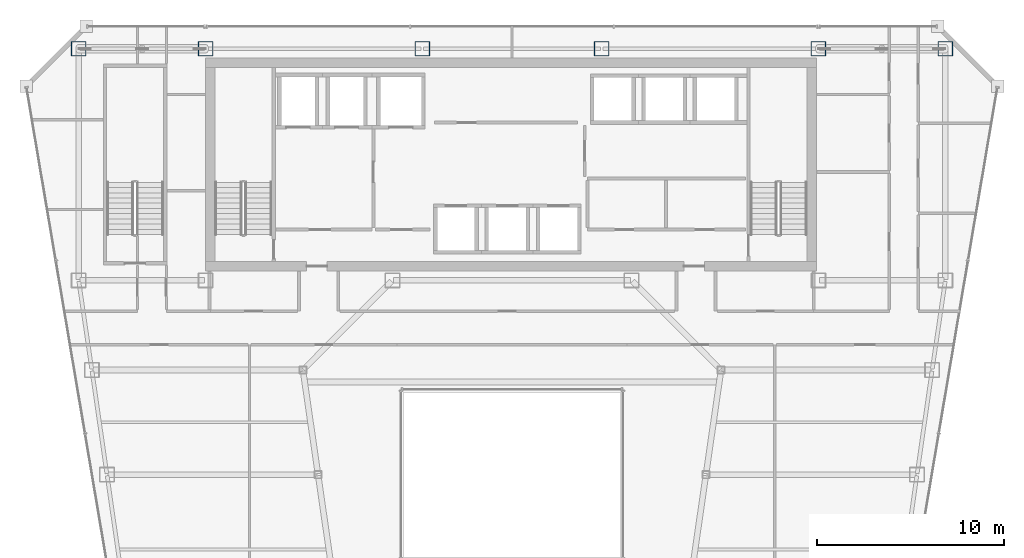
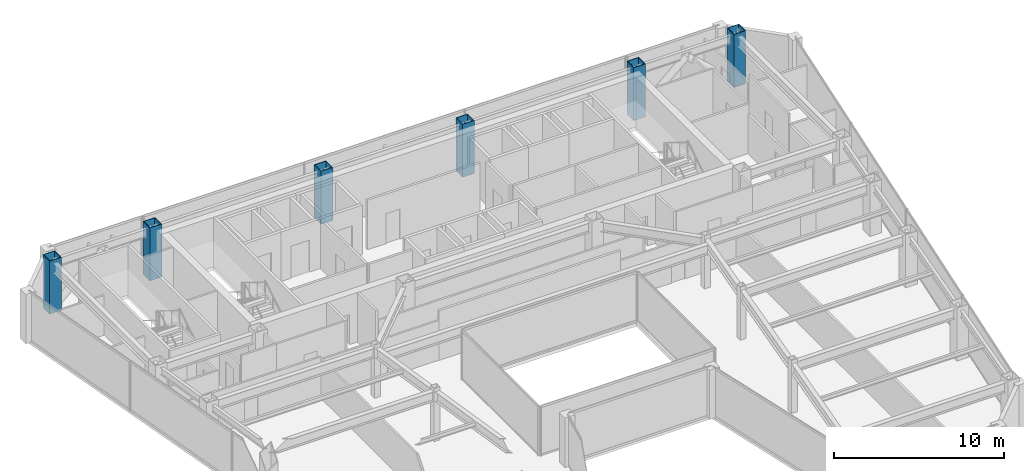
# One storey, part 2 of 35: 6 columns.
"""IFC4 building model written with IfcOpenShell, lengths in metres."""

from ifc_helpers import new_model, si_unit, direction, frame, origin, origin_2d, place, context, subcontext, project, spatial, hollow_rectangle, extrude, material, material_profile, profile_set, type_object, element, save


model = new_model("IFC4")

# Units and contexts
model_context = context("Model", 3, precision=1e-05, world=origin(), true_north=direction((0.0, 1.0)))
body_context = subcontext(model_context, "Body", "Model", "MODEL_VIEW")
ifc_project = project(units=[si_unit("LENGTHUNIT", "METRE"), si_unit("AREAUNIT", "SQUARE_METRE"), si_unit("VOLUMEUNIT", "CUBIC_METRE"), si_unit("PLANEANGLEUNIT", "RADIAN"), si_unit("MASSUNIT", "GRAM", prefix="KILO")], contexts=[model_context])

# Site, building, storey
site_placement = place(None, origin())
site = spatial("IfcSite", under=ifc_project, at=site_placement, CompositionType="ELEMENT")
building_placement = place(site_placement, origin())
building = spatial("IfcBuilding", under=site, at=building_placement, Name="Saevonmaru Cultural Tower", CompositionType="ELEMENT")
storey_placement = place(building_placement, frame((0.0, 0.0, 217.0)))
storey = spatial("IfcBuildingStorey", under=building, at=storey_placement, Name="L50", CompositionType="ELEMENT", Elevation=217.0)

# Columns
ifc_material = material(Name="Steel SM420", Category="steel")
ifc_material_profile = material_profile(ifc_material, hollow_rectangle(XDim=0.800048828125, YDim=0.800048828125, WallThickness=0.035888671875, at=origin_2d()), Name="BOX-800x800x36")
ifc_profile_set = profile_set([ifc_material_profile], Name="Steel SM420")
column_type = type_object("IfcColumnType", Name="COL-BOX-800", PredefinedType="COLUMN", material=ifc_profile_set)
for number, where, z_axis, x_axis, name in (
    (1, (6.800048828125, 54.800048828125, 0.0), (0.0, 0.0, 1.0), (1.0, 0.0, 0.0), "L50 Column TC-N1N"),
    (2, (13.60009765625, 54.800048828125, 0.0), (0.0, 0.0, 1.0), (1.0, 0.0, 0.0), "L50 Column TC-N2N"),
    (3, (25.199951171875, 54.800048828125, 0.0), (0.0, 0.0, 1.0), (1.0, 0.0, 0.0), "L50 Column TC-N3N"),
    (4, (34.800048828125, 54.800048828125, 0.0), (0.0, 0.0, 1.0), (1.0, 0.0, 0.0), "L50 Column TC-N4N"),
    (5, (46.39990234375, 54.800048828125, 0.0), (0.0, 0.0, 1.0), (1.0, 0.0, 0.0), "L50 Column TC-N5N"),
    (6, (53.199951171875, 54.800048828125, 0.0), (0.0, 0.0, 1.0), (1.0, 0.0, 0.0), "L50 Column TC-N6N"),
):
    element("IfcColumn", number, at=place(storey_placement, frame(where, z_axis=z_axis, x_axis=x_axis)), inside=storey, type_object=column_type, Name=name, PredefinedType="COLUMN", context=body_context, shape_type="SweptSolid", body=[
        extrude(hollow_rectangle(XDim=0.800048828125, YDim=0.800048828125, WallThickness=0.035888671875, at=origin_2d()), origin(), (0.0, 0.0, 1.0), 3.800048828125),
    ])

save(model, "model.ifc")
